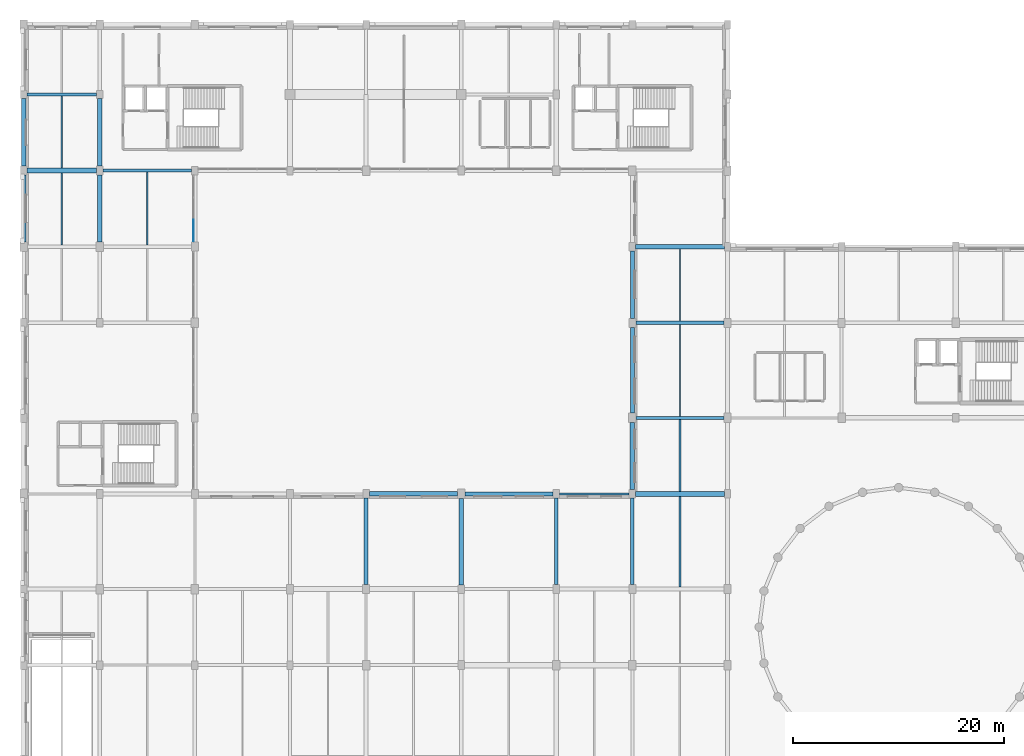
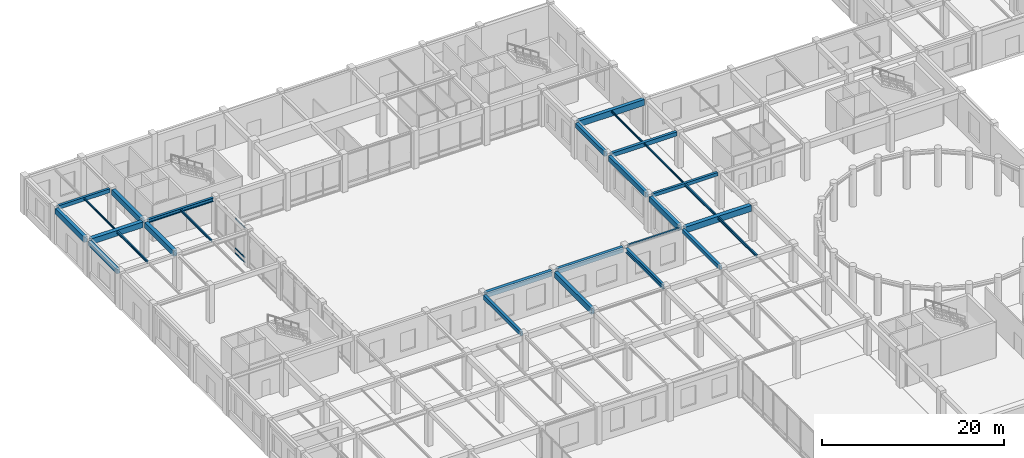
# One storey, part 24 of 64: 28 beams, 3 members, 1 element without a shape of its own.
"""IFC4 building model written with IfcOpenShell, lengths in metres."""

from ifc_helpers import new_model, si_unit, direction, frame, origin, origin_2d, place, context, subcontext, project, spatial, rectangle, i_section, extrude, material, material_profile, profile_set, type_object, element, aggregate, save


model = new_model("IFC4")

# Units and contexts
model_context = context("Model", 3, precision=1e-05, world=origin(), true_north=direction((0.0, 1.0)))
body_context = subcontext(model_context, "Body", "Model", "MODEL_VIEW")
ifc_project = project(units=[si_unit("LENGTHUNIT", "METRE"), si_unit("AREAUNIT", "SQUARE_METRE"), si_unit("VOLUMEUNIT", "CUBIC_METRE"), si_unit("PLANEANGLEUNIT", "RADIAN"), si_unit("MASSUNIT", "GRAM", prefix="KILO")], contexts=[model_context])

# Site, building, storey
site_placement = place(None, origin())
site = spatial("IfcSite", under=ifc_project, at=site_placement, CompositionType="ELEMENT")
building_placement = place(site_placement, origin())
building = spatial("IfcBuilding", under=site, at=building_placement, Name="Clarverna Civic Hall", CompositionType="ELEMENT")
storey_placement = place(building_placement, origin())
storey = spatial("IfcBuildingStorey", under=building, at=storey_placement, Name="L00", CompositionType="ELEMENT", Elevation=0.0)

# Beams
ifc_material_1 = material(Name="Steel S355", Category="steel")
ifc_material_profile_1 = material_profile(ifc_material_1, i_section(OverallWidth=0.219970703125, OverallDepth=0.2099609375, WebThickness=0.007080078125, FlangeThickness=0.010986328125, FilletRadius=0.01806640625, at=origin_2d()), Name="HEA 220")
ifc_profile_set_1 = profile_set([ifc_material_profile_1], Name="Steel S355")
beam_type_1 = type_object("IfcBeamType", Name="B-LN1", PredefinedType="LINTEL", material=ifc_profile_set_1)
beam_1_placement = place(storey_placement, frame((50.699951171875, 71.60009765625, 4.715087890625), z_axis=(1.0, 0.0, 0.0), x_axis=(0.0, 1.0, 0.0)))
element("IfcBeam", 1, at=beam_1_placement, inside=storey, type_object=beam_type_1, Name="B-LN1-005", PredefinedType="LINTEL", context=body_context, shape_type="SweptSolid", body=[
    extrude(i_section(OverallWidth=0.219970703125, OverallDepth=0.2099609375, WebThickness=0.007080078125, FlangeThickness=0.010986328125, FilletRadius=0.01806640625, at=origin_2d()), origin(), (0.0, 0.0, 1.0), 6.60009765625),
])
ifc_material_2 = material(Name="Concrete C35/45", Category="concrete")
ifc_material_profile_2 = material_profile(ifc_material_2, rectangle(XDim=0.35009765625, YDim=0.5, at=origin_2d()), Name="RC 350x500")
ifc_profile_set_2 = profile_set([ifc_material_profile_2], Name="Concrete C35/45")
beam_type_2 = type_object("IfcBeamType", Name="B-RC10", PredefinedType="BEAM", material=ifc_profile_set_2)
beam_2_placement = place(storey_placement, frame((57.60009765625, 63.02490234375, 4.530029296875), z_axis=(0.0, 1.0, 0.0), x_axis=(-1.0, 0.0, 0.0)))
element("IfcBeam", 2, at=beam_2_placement, inside=storey, type_object=beam_type_2, Name="B-RC10-020", PredefinedType="BEAM", context=body_context, shape_type="SweptSolid", body=[
    extrude(rectangle(XDim=0.35009765625, YDim=0.5, at=origin_2d()), origin(), (0.0, 0.0, 1.0), 8.175048828125),
])
ifc_material_profile_3 = material_profile(ifc_material_2, rectangle(XDim=0.300048828125, YDim=0.5, at=origin_2d()), Name="RC 300x500")
ifc_profile_set_3 = profile_set([ifc_material_profile_3], Name="Concrete C35/45")
beam_type_3 = type_object("IfcBeamType", Name="B-RC12", PredefinedType="BEAM", material=ifc_profile_set_3)
beam_3_placement = place(storey_placement, frame((0.300048828125, 109.39990234375, 4.570068359375), z_axis=(1.0, 0.0, 0.0), x_axis=(0.0, 1.0, 0.0)))
element("IfcBeam", 3, at=beam_3_placement, inside=storey, type_object=beam_type_3, Name="B-RC12-023", PredefinedType="BEAM", context=body_context, shape_type="SweptSolid", body=[
    extrude(rectangle(XDim=0.300048828125, YDim=0.5, at=origin_2d()), origin(), (0.0, 0.0, 1.0), 6.599853515625),
])
ifc_material_profile_4 = material_profile(ifc_material_2, rectangle(XDim=0.5, YDim=0.800048828125, at=origin_2d()), Name="RC 500x800")
ifc_profile_set_4 = profile_set([ifc_material_profile_4], Name="Concrete C35/45")
beam_type_4 = type_object("IfcBeamType", Name="B-RC14", PredefinedType="BEAM", material=ifc_profile_set_4)
beam_4_placement = place(storey_placement, frame((57.89990234375, 71.60009765625, 4.3798828125), z_axis=(1.0, 0.0, 0.0), x_axis=(0.0, 1.0, 0.0)))
element("IfcBeam", 4, at=beam_4_placement, inside=storey, type_object=beam_type_4, Name="B-RC14-020", PredefinedType="BEAM", context=body_context, shape_type="SweptSolid", body=[
    extrude(rectangle(XDim=0.5, YDim=0.800048828125, at=origin_2d()), origin(), (0.0, 0.0, 1.0), 8.400146484375),
])
ifc_material_profile_5 = material_profile(ifc_material_2, rectangle(XDim=0.5, YDim=0.75, at=origin_2d()), Name="RC 500x750")
ifc_profile_set_5 = profile_set([ifc_material_profile_5], Name="Concrete C35/45")
beam_type_5 = type_object("IfcBeamType", Name="B-RC15", PredefinedType="BEAM", material=ifc_profile_set_5)
beam_5_placement = place(storey_placement, frame((0.324951171875, 102.199951171875, 4.445068359375), z_axis=(1.0, 0.0, 0.0), x_axis=(0.0, 1.0, 0.0)))
element("IfcBeam", 5, at=beam_5_placement, inside=storey, type_object=beam_type_5, Name="B-RC15-021", PredefinedType="BEAM", context=body_context, shape_type="SweptSolid", body=[
    extrude(rectangle(XDim=0.5, YDim=0.75, at=origin_2d()), origin(), (0.0, 0.0, 1.0), 6.550048828125),
])
ifc_material_profile_6 = material_profile(ifc_material_2, rectangle(XDim=0.39990234375, YDim=0.75, at=origin_2d()), Name="RC 400x750")
ifc_profile_set_6 = profile_set([ifc_material_profile_6], Name="Concrete C35/45")
beam_type_6 = type_object("IfcBeamType", Name="B-RC16", PredefinedType="BEAM", material=ifc_profile_set_6)
beam_6_placement = place(storey_placement, frame((41.39990234375, 63.0, 4.405029296875), z_axis=(0.0, 1.0, 0.0), x_axis=(-1.0, 0.0, 0.0)))
element("IfcBeam", 6, at=beam_6_placement, inside=storey, type_object=beam_type_6, Name="B-RC16-019", PredefinedType="BEAM", context=body_context, shape_type="SweptSolid", body=[
    extrude(rectangle(XDim=0.39990234375, YDim=0.75, at=origin_2d()), origin(), (0.0, 0.0, 1.0), 8.14990234375),
])
ifc_material_profile_7 = material_profile(ifc_material_2, rectangle(XDim=0.300048828125, YDim=0.449951171875, at=origin_2d()), Name="RC 300x450")
ifc_profile_set_7 = profile_set([ifc_material_profile_7], Name="Concrete C35/45")
beam_type_7 = type_object("IfcBeamType", Name="B-RC18", PredefinedType="BEAM", material=ifc_profile_set_7)
beam_7_placement = place(storey_placement, frame((57.949951171875, 78.800048828125, 4.554931640625), z_axis=(1.0, 0.0, 0.0), x_axis=(0.0, 1.0, 0.0)))
element("IfcBeam", 7, at=beam_7_placement, inside=storey, type_object=beam_type_7, Name="B-RC18-016", PredefinedType="BEAM", context=body_context, shape_type="SweptSolid", body=[
    extrude(rectangle(XDim=0.300048828125, YDim=0.449951171875, at=origin_2d()), origin(), (0.0, 0.0, 1.0), 8.300048828125),
])
ifc_material_profile_8 = material_profile(ifc_material_2, rectangle(XDim=0.449951171875, YDim=0.800048828125, at=origin_2d()), Name="RC 450x800")
ifc_profile_set_8 = profile_set([ifc_material_profile_8], Name="Concrete C35/45")
beam_type_8 = type_object("IfcBeamType", Name="B-RC2", PredefinedType="BEAM", material=ifc_profile_set_8)
beam_8_placement = place(storey_placement, frame((57.89990234375, 95.0, 4.3798828125), z_axis=(1.0, 0.0, 0.0), x_axis=(0.0, 1.0, 0.0)))
element("IfcBeam", 8, at=beam_8_placement, inside=storey, type_object=beam_type_8, Name="B-RC2-017", PredefinedType="BEAM", context=body_context, shape_type="SweptSolid", body=[
    extrude(rectangle(XDim=0.449951171875, YDim=0.800048828125, at=origin_2d()), origin(), (0.0, 0.0, 1.0), 8.400146484375),
])
ifc_material_profile_9 = material_profile(ifc_material_2, rectangle(XDim=0.449951171875, YDim=0.75, at=origin_2d()), Name="RC 450x750")
ifc_profile_set_9 = profile_set([ifc_material_profile_9], Name="Concrete C35/45")
beam_type_9 = type_object("IfcBeamType", Name="B-RC3", PredefinedType="BEAM", material=ifc_profile_set_9)
beam_9_placement = place(storey_placement, frame((7.199951171875, 95.449951171875, 4.445068359375), z_axis=(0.0, 1.0, 0.0), x_axis=(-1.0, 0.0, 0.0)))
element("IfcBeam", 9, at=beam_9_placement, inside=storey, type_object=beam_type_9, Name="B-RC3-017", PredefinedType="BEAM", context=body_context, shape_type="SweptSolid", body=[
    extrude(rectangle(XDim=0.449951171875, YDim=0.75, at=origin_2d()), origin(), (0.0, 0.0, 1.0), 6.324951171875),
])
ifc_material_profile_10 = material_profile(ifc_material_2, rectangle(XDim=0.449951171875, YDim=0.699951171875, at=origin_2d()), Name="RC 450x700")
ifc_profile_set_10 = profile_set([ifc_material_profile_10], Name="Concrete C35/45")
beam_type_10 = type_object("IfcBeamType", Name="B-RC4", PredefinedType="BEAM", material=ifc_profile_set_10)
beam_10_placement = place(storey_placement, frame((7.199951171875, 102.625, 4.469970703125), z_axis=(0.0, 1.0, 0.0), x_axis=(-1.0, 0.0, 0.0)))
element("IfcBeam", 10, at=beam_10_placement, inside=storey, type_object=beam_type_10, Name="B-RC4-017", PredefinedType="BEAM", context=body_context, shape_type="SweptSolid", body=[
    extrude(rectangle(XDim=0.449951171875, YDim=0.699951171875, at=origin_2d()), origin(), (0.0, 0.0, 1.0), 6.375),
])
ifc_material_profile_11 = material_profile(ifc_material_2, rectangle(XDim=0.35009765625, YDim=0.550048828125, at=origin_2d()), Name="RC 350x550")
ifc_profile_set_11 = profile_set([ifc_material_profile_11], Name="Concrete C35/45")
beam_type_11 = type_object("IfcBeamType", Name="B-RC9", PredefinedType="BEAM", material=ifc_profile_set_11)
beam_11_placement = place(storey_placement, frame((57.925048828125, 87.800048828125, 4.5048828125), z_axis=(1.0, 0.0, 0.0), x_axis=(0.0, 1.0, 0.0)))
element("IfcBeam", 11, at=beam_11_placement, inside=storey, type_object=beam_type_11, Name="B-RC9-018", PredefinedType="BEAM", context=body_context, shape_type="SweptSolid", body=[
    extrude(rectangle(XDim=0.35009765625, YDim=0.550048828125, at=origin_2d()), origin(), (0.0, 0.0, 1.0), 8.349853515625),
])
beam_12_placement = place(storey_placement, frame((32.39990234375, 63.02490234375, 4.5048828125), z_axis=(0.0, 1.0, 0.0), x_axis=(-1.0, 0.0, 0.0)))
element("IfcBeam", 12, at=beam_12_placement, inside=storey, type_object=beam_type_11, Name="B-RC9-021", PredefinedType="BEAM", context=body_context, shape_type="SweptSolid", body=[
    extrude(rectangle(XDim=0.35009765625, YDim=0.550048828125, at=origin_2d()), origin(), (0.0, 0.0, 1.0), 8.175048828125),
])
ifc_material_profile_12 = material_profile(ifc_material_2, rectangle(XDim=0.419921875, YDim=0.719970703125, at=origin_2d()), Name="RC 420x720")
ifc_profile_set_12 = profile_set([ifc_material_profile_12], Name="Concrete C35/45")
beam_type_12 = type_object("IfcBeamType", Name="B-SP1", PredefinedType="SPANDREL", material=ifc_profile_set_12)
beam_13_placement = place(storey_placement, frame((32.699951171875, 71.60009765625, 4.4599609375), z_axis=(1.0, 0.0, 0.0), x_axis=(0.0, 1.0, 0.0)))
element("IfcBeam", 13, at=beam_13_placement, inside=storey, type_object=beam_type_12, Name="B-SP1-037", PredefinedType="SPANDREL", context=body_context, shape_type="SweptSolid", body=[
    extrude(rectangle(XDim=0.419921875, YDim=0.719970703125, at=origin_2d()), origin(), (0.0, 0.0, 1.0), 8.35009765625),
])
beam_14_placement = place(storey_placement, frame((0.0, 102.625, 4.4599609375), z_axis=(0.0, 1.0, 0.0), x_axis=(-1.0, 0.0, 0.0)))
element("IfcBeam", 14, at=beam_14_placement, inside=storey, type_object=beam_type_12, Name="B-SP1-046", PredefinedType="SPANDREL", context=body_context, shape_type="SweptSolid", body=[
    extrude(rectangle(XDim=0.419921875, YDim=0.719970703125, at=origin_2d()), origin(), (0.0, 0.0, 1.0), 6.375),
])
beam_15_placement = place(storey_placement, frame((57.60009765625, 72.0, 4.4599609375), z_axis=(0.0, 1.0, 0.0), x_axis=(-1.0, 0.0, 0.0)))
element("IfcBeam", 15, at=beam_15_placement, inside=storey, type_object=beam_type_12, Name="B-SP1-048", PredefinedType="SPANDREL", context=body_context, shape_type="SweptSolid", body=[
    extrude(rectangle(XDim=0.419921875, YDim=0.719970703125, at=origin_2d()), origin(), (0.0, 0.0, 1.0), 6.35009765625),
])
ifc_material_profile_13 = material_profile(ifc_material_2, rectangle(XDim=0.3798828125, YDim=0.679931640625, at=origin_2d()), Name="RC 380x680")
ifc_profile_set_13 = profile_set([ifc_material_profile_13], Name="Concrete C35/45")
beam_type_13 = type_object("IfcBeamType", Name="B-SP2", PredefinedType="SPANDREL", material=ifc_profile_set_13)
beam_16_placement = place(storey_placement, frame((41.75, 71.60009765625, 4.47998046875), z_axis=(1.0, 0.0, 0.0), x_axis=(0.0, 1.0, 0.0)))
element("IfcBeam", 16, at=beam_16_placement, inside=storey, type_object=beam_type_13, Name="B-SP2-035", PredefinedType="SPANDREL", context=body_context, shape_type="SweptSolid", body=[
    extrude(rectangle(XDim=0.3798828125, YDim=0.679931640625, at=origin_2d()), origin(), (0.0, 0.0, 1.0), 8.35009765625),
])
beam_17_placement = place(storey_placement, frame((57.60009765625, 79.25, 4.47998046875), z_axis=(0.0, 1.0, 0.0), x_axis=(-1.0, 0.0, 0.0)))
element("IfcBeam", 17, at=beam_17_placement, inside=storey, type_object=beam_type_13, Name="B-SP2-047", PredefinedType="SPANDREL", context=body_context, shape_type="SweptSolid", body=[
    extrude(rectangle(XDim=0.3798828125, YDim=0.679931640625, at=origin_2d()), origin(), (0.0, 0.0, 1.0), 8.125),
])
ifc_material_profile_14 = material_profile(ifc_material_2, rectangle(XDim=0.360107421875, YDim=0.6201171875, at=origin_2d()), Name="RC 360x620")
ifc_profile_set_14 = profile_set([ifc_material_profile_14], Name="Concrete C35/45")
beam_type_14 = type_object("IfcBeamType", Name="B-SP3", PredefinedType="SPANDREL", material=ifc_profile_set_14)
beam_18_placement = place(storey_placement, frame((57.60009765625, 88.22509765625, 4.510009765625), z_axis=(0.0, 1.0, 0.0), x_axis=(-1.0, 0.0, 0.0)))
element("IfcBeam", 18, at=beam_18_placement, inside=storey, type_object=beam_type_14, Name="B-SP3-048", PredefinedType="SPANDREL", context=body_context, shape_type="SweptSolid", body=[
    extrude(rectangle(XDim=0.360107421875, YDim=0.6201171875, at=origin_2d()), origin(), (0.0, 0.0, 1.0), 6.375),
])
ifc_material_profile_15 = material_profile(ifc_material_2, rectangle(XDim=0.39990234375, YDim=0.56005859375, at=origin_2d()), Name="RC 400x560")
ifc_profile_set_15 = profile_set([ifc_material_profile_15], Name="Concrete C35/45")
beam_type_15 = type_object("IfcBeamType", Name="B-SP4", PredefinedType="SPANDREL", material=ifc_profile_set_15)
beam_19_placement = place(storey_placement, frame((0.0, 95.449951171875, 4.5400390625), z_axis=(0.0, 1.0, 0.0), x_axis=(-1.0, 0.0, 0.0)))
element("IfcBeam", 19, at=beam_19_placement, inside=storey, type_object=beam_type_15, Name="B-SP4-043", PredefinedType="SPANDREL", context=body_context, shape_type="SweptSolid", body=[
    extrude(rectangle(XDim=0.39990234375, YDim=0.56005859375, at=origin_2d()), origin(), (0.0, 0.0, 1.0), 6.324951171875),
])
ifc_material_profile_16 = material_profile(ifc_material_1, i_section(OverallWidth=0.300048828125, OverallDepth=0.60009765625, WebThickness=0.015380859375, FlangeThickness=0.030029296875, FilletRadius=0.027099609375, at=origin_2d()), Name="HEB 600")
ifc_profile_set_16 = profile_set([ifc_material_profile_16], Name="Steel S355")
beam_type_16 = type_object("IfcBeamType", Name="B-ST1", PredefinedType="BEAM", material=ifc_profile_set_16)
beam_20_placement = place(storey_placement, frame((50.39990234375, 63.02490234375, 4.47998046875), z_axis=(0.0, 1.0, 0.0), x_axis=(-1.0, 0.0, 0.0)))
element("IfcBeam", 20, at=beam_20_placement, inside=storey, type_object=beam_type_16, Name="B-ST1-004", PredefinedType="BEAM", context=body_context, shape_type="SweptSolid", body=[
    extrude(i_section(OverallWidth=0.300048828125, OverallDepth=0.60009765625, WebThickness=0.015380859375, FlangeThickness=0.030029296875, FilletRadius=0.027099609375, at=origin_2d()), origin(), (0.0, 0.0, 1.0), 8.175048828125),
])
ifc_material_profile_17 = material_profile(ifc_material_1, i_section(OverallWidth=0.300048828125, OverallDepth=0.5, WebThickness=0.014404296875, FlangeThickness=0.028076171875, FilletRadius=0.027099609375, at=origin_2d()), Name="HEB 500")
ifc_profile_set_17 = profile_set([ifc_material_profile_17], Name="Steel S355")
beam_type_17 = type_object("IfcBeamType", Name="B-ST2", PredefinedType="BEAM", material=ifc_profile_set_17)
beam_21_placement = place(storey_placement, frame((7.52490234375, 102.199951171875, 4.570068359375), z_axis=(1.0, 0.0, 0.0), x_axis=(0.0, 1.0, 0.0)))
element("IfcBeam", 21, at=beam_21_placement, inside=storey, type_object=beam_type_17, Name="B-ST2-001", PredefinedType="BEAM", context=body_context, shape_type="SweptSolid", body=[
    extrude(i_section(OverallWidth=0.300048828125, OverallDepth=0.5, WebThickness=0.014404296875, FlangeThickness=0.028076171875, FilletRadius=0.027099609375, at=origin_2d()), origin(), (0.0, 0.0, 1.0), 8.375),
])

# Curtain wall, members
ifc_material_3 = material(Name="Anodised Bronze Architectural Aluminium", Category="aluminium")
curtain_wall_type = type_object("IfcCurtainWallType", Name="CW-04", PredefinedType="USERDEFINED", material=ifc_material_3)
curtain_wall_placement = place(storey_placement, origin())
curtain_wall = element("IfcCurtainWall", 22, at=curtain_wall_placement, inside=storey, type_object=curtain_wall_type, Name="CW-04-006", ObjectType="UNITISED CURTAIN WALL", PredefinedType="USERDEFINED")
ifc_material_profile_18 = material_profile(ifc_material_3, rectangle(XDim=0.06005859375, YDim=0.14990234375, at=origin_2d()), Name="BRONZE 60x150")
ifc_profile_set_18 = profile_set([ifc_material_profile_18], Name="Anodised Bronze Architectural Aluminium")
member_type = type_object("IfcMemberType", Name="CWT-01", PredefinedType="USERDEFINED", material=ifc_profile_set_18)
member_1_placement = place(storey_placement, frame((16.06005859375, 97.559326171875, 0.094970703125), z_axis=(0.0, -1.0, 0.0), x_axis=(1.0, 0.0, 0.0)))
member_1 = element("IfcMember", 23, at=member_1_placement, type_object=member_type, Name="CWT-01-058", ObjectType="TRANSOM", PredefinedType="USERDEFINED", context=body_context, shape_type="SweptSolid", body=[
    extrude(rectangle(XDim=0.06005859375, YDim=0.14990234375, at=origin_2d()), origin(), (0.0, 0.0, 1.0), 2.04638671875),
])
member_2_placement = place(storey_placement, frame((16.06005859375, 97.559326171875, 0.75), z_axis=(0.0, -1.0, 0.0), x_axis=(1.0, 0.0, 0.0)))
member_2 = element("IfcMember", 24, at=member_2_placement, type_object=member_type, Name="CWT-01-059", ObjectType="TRANSOM", PredefinedType="USERDEFINED", context=body_context, shape_type="SweptSolid", body=[
    extrude(rectangle(XDim=0.06005859375, YDim=0.14990234375, at=origin_2d()), origin(), (0.0, 0.0, 1.0), 2.04638671875),
])
member_3_placement = place(storey_placement, frame((16.06005859375, 97.559326171875, 4.72509765625), z_axis=(0.0, -1.0, 0.0), x_axis=(1.0, 0.0, 0.0)))
member_3 = element("IfcMember", 25, at=member_3_placement, type_object=member_type, Name="CWT-01-060", ObjectType="TRANSOM", PredefinedType="USERDEFINED", context=body_context, shape_type="SweptSolid", body=[
    extrude(rectangle(XDim=0.06005859375, YDim=0.14990234375, at=origin_2d()), origin(), (0.0, 0.0, 1.0), 2.04638671875),
])
aggregate(curtain_wall, [member_1, member_2, member_3])

# Beams
ifc_material_profile_19 = material_profile(ifc_material_1, i_section(OverallWidth=0.169921875, OverallDepth=0.360107421875, WebThickness=0.008056640625, FlangeThickness=0.0126953125, FilletRadius=0.01806640625, at=origin_2d()), Name="IPE 360")
ifc_profile_set_19 = profile_set([ifc_material_profile_19], Name="Steel S355")
beam_type_18 = type_object("IfcBeamType", Name="J-ST1", PredefinedType="JOIST", material=ifc_profile_set_19)
beam_22_placement = place(storey_placement, frame((62.10009765625, 62.800048828125, 4.60009765625), z_axis=(0.0, 1.0, 0.0), x_axis=(-1.0, 0.0, 0.0)))
element("IfcBeam", 26, at=beam_22_placement, inside=storey, type_object=beam_type_18, Name="J-ST1-028", PredefinedType="JOIST", context=body_context, shape_type="SweptSolid", body=[
    extrude(i_section(OverallWidth=0.169921875, OverallDepth=0.360107421875, WebThickness=0.008056640625, FlangeThickness=0.0126953125, FilletRadius=0.01806640625, at=origin_2d()), origin(), (0.0, 0.0, 1.0), 8.550048828125),
])
ifc_material_profile_20 = material_profile(ifc_material_1, i_section(OverallWidth=0.159912109375, OverallDepth=0.330078125, WebThickness=0.007568359375, FlangeThickness=0.011474609375, FilletRadius=0.01806640625, at=origin_2d()), Name="IPE 330")
ifc_profile_set_20 = profile_set([ifc_material_profile_20], Name="Steel S355")
beam_type_19 = type_object("IfcBeamType", Name="J-ST2", PredefinedType="JOIST", material=ifc_profile_set_20)
beam_23_placement = place(storey_placement, frame((62.10009765625, 71.85009765625, 4.614990234375), z_axis=(0.0, 1.0, 0.0), x_axis=(-1.0, 0.0, 0.0)))
element("IfcBeam", 27, at=beam_23_placement, inside=storey, type_object=beam_type_19, Name="J-ST2-028", PredefinedType="JOIST", context=body_context, shape_type="SweptSolid", body=[
    extrude(i_section(OverallWidth=0.159912109375, OverallDepth=0.330078125, WebThickness=0.007568359375, FlangeThickness=0.011474609375, FilletRadius=0.01806640625, at=origin_2d()), origin(), (0.0, 0.0, 1.0), 6.7998046875),
])
beam_24_placement = place(storey_placement, frame((3.60009765625, 95.14990234375, 4.655029296875), z_axis=(0.0, 1.0, 0.0), x_axis=(-1.0, 0.0, 0.0)))
element("IfcBeam", 28, at=beam_24_placement, inside=storey, type_object=beam_type_19, Name="J-ST2-031", PredefinedType="JOIST", context=body_context, shape_type="SweptSolid", body=[
    extrude(i_section(OverallWidth=0.159912109375, OverallDepth=0.330078125, WebThickness=0.007568359375, FlangeThickness=0.011474609375, FilletRadius=0.01806640625, at=origin_2d()), origin(), (0.0, 0.0, 1.0), 6.800048828125),
])
ifc_material_profile_21 = material_profile(ifc_material_1, i_section(OverallWidth=0.14990234375, OverallDepth=0.300048828125, WebThickness=0.007080078125, FlangeThickness=0.0107421875, FilletRadius=0.014892578125, at=origin_2d()), Name="IPE 300")
ifc_profile_set_21 = profile_set([ifc_material_profile_21], Name="Steel S355")
beam_type_20 = type_object("IfcBeamType", Name="J-ST3", PredefinedType="JOIST", material=ifc_profile_set_21)
beam_25_placement = place(storey_placement, frame((11.699951171875, 95.14990234375, 4.669921875), z_axis=(0.0, 1.0, 0.0), x_axis=(-1.0, 0.0, 0.0)))
element("IfcBeam", 29, at=beam_25_placement, inside=storey, type_object=beam_type_20, Name="J-ST3-031", PredefinedType="JOIST", context=body_context, shape_type="SweptSolid", body=[
    extrude(i_section(OverallWidth=0.14990234375, OverallDepth=0.300048828125, WebThickness=0.007080078125, FlangeThickness=0.0107421875, FilletRadius=0.014892578125, at=origin_2d()), origin(), (0.0, 0.0, 1.0), 6.900146484375),
])
ifc_material_profile_22 = material_profile(ifc_material_1, i_section(OverallWidth=0.1201171875, OverallDepth=0.239990234375, WebThickness=0.006103515625, FlangeThickness=0.009765625, FilletRadius=0.014892578125, at=origin_2d()), Name="IPE 240")
ifc_profile_set_22 = profile_set([ifc_material_profile_22], Name="Steel S355")
beam_type_21 = type_object("IfcBeamType", Name="J-ST5", PredefinedType="JOIST", material=ifc_profile_set_22)
beam_26_placement = place(storey_placement, frame((62.10009765625, 87.97509765625, 4.659912109375), z_axis=(0.0, 1.0, 0.0), x_axis=(-1.0, 0.0, 0.0)))
element("IfcBeam", 30, at=beam_26_placement, inside=storey, type_object=beam_type_21, Name="J-ST5-029", PredefinedType="JOIST", context=body_context, shape_type="SweptSolid", body=[
    extrude(i_section(OverallWidth=0.1201171875, OverallDepth=0.239990234375, WebThickness=0.006103515625, FlangeThickness=0.009765625, FilletRadius=0.014892578125, at=origin_2d()), origin(), (0.0, 0.0, 1.0), 6.7998046875),
])
beam_27_placement = place(storey_placement, frame((3.60009765625, 102.449951171875, 4.699951171875), z_axis=(0.0, 1.0, 0.0), x_axis=(-1.0, 0.0, 0.0)))
element("IfcBeam", 31, at=beam_27_placement, inside=storey, type_object=beam_type_21, Name="J-ST5-032", PredefinedType="JOIST", context=body_context, shape_type="SweptSolid", body=[
    extrude(i_section(OverallWidth=0.1201171875, OverallDepth=0.239990234375, WebThickness=0.006103515625, FlangeThickness=0.009765625, FilletRadius=0.014892578125, at=origin_2d()), origin(), (0.0, 0.0, 1.0), 6.800048828125),
])
ifc_material_profile_23 = material_profile(ifc_material_1, i_section(OverallWidth=0.110107421875, OverallDepth=0.219970703125, WebThickness=0.005859375, FlangeThickness=0.00927734375, FilletRadius=0.011962890625, at=origin_2d()), Name="IPE 220")
ifc_profile_set_23 = profile_set([ifc_material_profile_23], Name="Steel S355")
beam_type_22 = type_object("IfcBeamType", Name="J-ST6", PredefinedType="JOIST", material=ifc_profile_set_23)
beam_28_placement = place(storey_placement, frame((62.10009765625, 78.949951171875, 4.669921875), z_axis=(0.0, 1.0, 0.0), x_axis=(-1.0, 0.0, 0.0)))
element("IfcBeam", 32, at=beam_28_placement, inside=storey, type_object=beam_type_22, Name="J-ST6-029", PredefinedType="JOIST", context=body_context, shape_type="SweptSolid", body=[
    extrude(i_section(OverallWidth=0.110107421875, OverallDepth=0.219970703125, WebThickness=0.005859375, FlangeThickness=0.00927734375, FilletRadius=0.011962890625, at=origin_2d()), origin(), (0.0, 0.0, 1.0), 8.675048828125),
])

save(model, "model.ifc")
